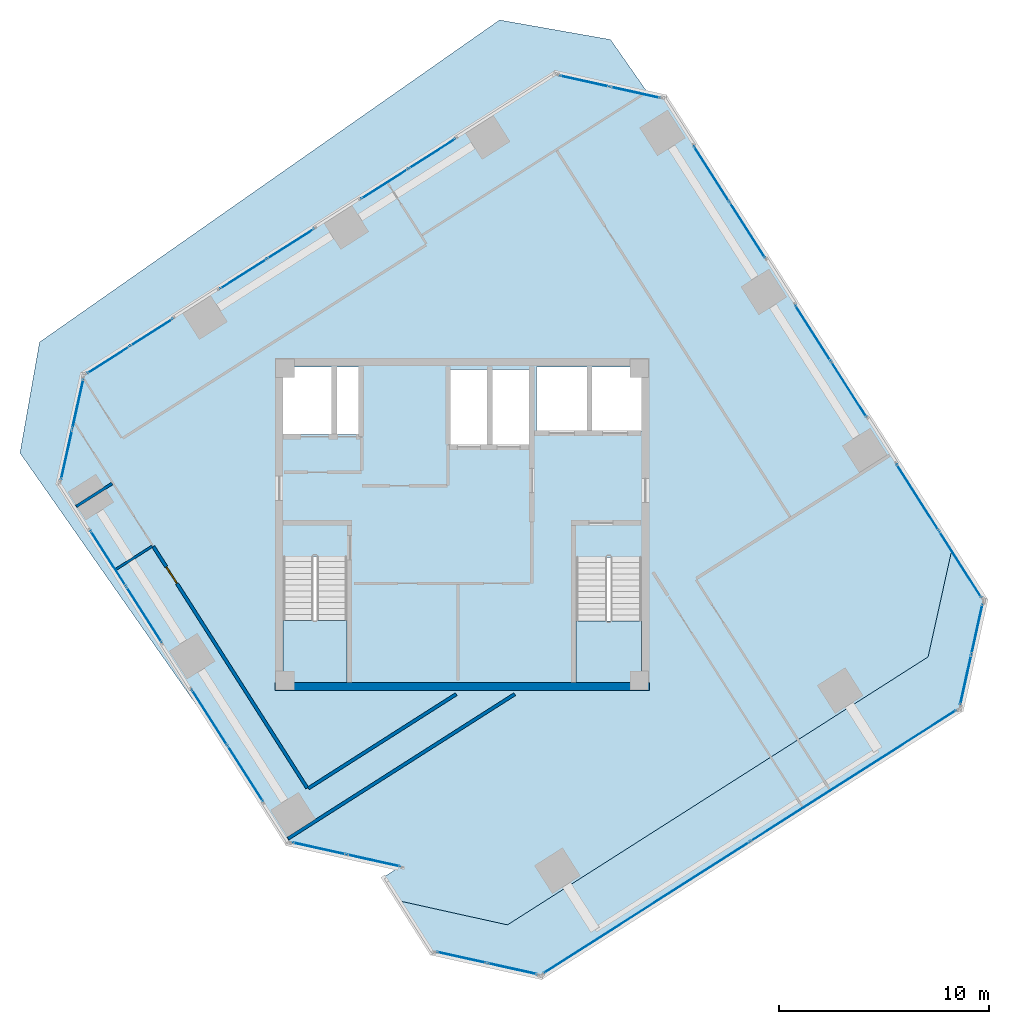
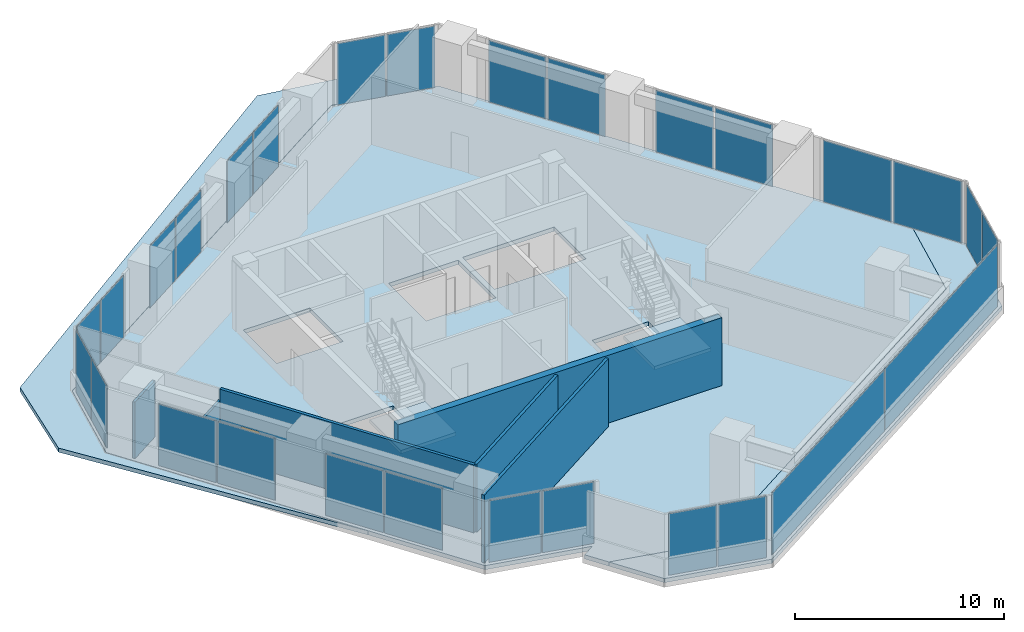
# One storey, part 10 of 15: 28 plates, 6 walls, 5 slabs, 1 door, 1 opening, 16 elements without a shape of their own.
"""IFC4 building model written with IfcOpenShell, lengths in metres."""

from ifc_helpers import new_model, si_unit, direction, frame, frame_2d, origin, origin_2d, place, context, subcontext, project, spatial, polyline, rectangle, outline, extrude, source, transform, mapped, material, layer, layer_set, type_object, element, fill, aggregate, save


model = new_model("IFC4")

# Units and contexts
model_context = context("Model", 3, precision=1e-05, world=origin(), true_north=direction((0.0, 1.0)))
body_context = subcontext(model_context, "Body", "Model", "MODEL_VIEW")
ifc_project = project(units=[si_unit("LENGTHUNIT", "METRE"), si_unit("AREAUNIT", "SQUARE_METRE"), si_unit("VOLUMEUNIT", "CUBIC_METRE"), si_unit("PLANEANGLEUNIT", "RADIAN"), si_unit("MASSUNIT", "GRAM", prefix="KILO")], contexts=[model_context])

# Site, building, storey
site_placement = place(None, origin())
site = spatial("IfcSite", under=ifc_project, at=site_placement, CompositionType="ELEMENT")
building_placement = place(site_placement, origin())
building = spatial("IfcBuilding", under=site, at=building_placement, Name="Torre Montelarca", CompositionType="ELEMENT")
storey_placement = place(building_placement, frame((0.0, 0.0, 307.199951171875)))
storey = spatial("IfcBuildingStorey", under=building, at=storey_placement, Name="L69", CompositionType="ELEMENT", Elevation=307.199951171875)

# Slabs
ifc_material_1 = material(Name="Concrete C40/50", Category="concrete")
ifc_layer_1 = layer(ifc_material_1, 0.239990234375, Name="Concrete C40/50", Category="concrete")
ifc_layer_set_1 = layer_set([ifc_layer_1], Name="Concrete C40/50")
slab_type_1 = type_object("IfcSlabType", Name="SL-FLR-240", PredefinedType="FLOOR", material=ifc_layer_set_1)
slab_1_placement = place(storey_placement, frame((0.0, 0.0, -0.239990234375)))
element("IfcSlab", 1, at=slab_1_placement, inside=storey, type_object=slab_type_1, Name="L69 Structural Floor Slab", PredefinedType="FLOOR", context=body_context, shape_type="SweptSolid", body=[
    extrude(outline(polyline([(9.642578125, 16.739013671875), (14.889404296875, 15.575927734375), (14.214599609375, 15.14599609375), (14.9130859375, 14.0498046875), (20.159912109375, 12.88671875), (40.232421875, 25.67431640625), (41.3955078125, 30.9208984375), (27.694580078125, 52.427490234375), (22.447998046875, 53.590576171875), (-0.155029296875, 39.19091796875), (-1.318115234375, 33.9443359375), (9.642578125, 16.739013671875)]), holes=[polyline([(26.550048828125, 24.449951171875), (23.43994140625, 24.449951171875), (23.43994140625, 30.429931640625), (26.550048828125, 30.429931640625), (26.550048828125, 24.449951171875)]), polyline([(12.5, 24.449951171875), (9.449951171875, 24.449951171875), (9.449951171875, 30.4599609375), (12.5, 30.4599609375), (12.5, 24.449951171875)]), polyline([(21.25, 39.39990234375), (21.25, 35.800048828125), (17.39990234375, 35.800048828125), (17.39990234375, 39.39990234375), (21.25, 39.39990234375)]), polyline([(13.1201171875, 36.300048828125), (9.449951171875, 36.300048828125), (9.449951171875, 39.5), (13.1201171875, 39.5), (13.1201171875, 36.300048828125)]), polyline([(26.60009765625, 36.449951171875), (21.550048828125, 36.449951171875), (21.550048828125, 39.5), (26.60009765625, 39.5), (26.60009765625, 36.449951171875)])]), origin(), (0.0, 0.0, 1.0), 0.239990234375),
])
slab_2_placement = place(storey_placement, frame((0.0, 0.0, -0.239990234375)))
element("IfcSlab", 2, at=slab_2_placement, inside=storey, type_object=slab_type_1, Name="L69 Sliding Tray Winter Garden Floor Slab E1", PredefinedType="FLOOR", context=body_context, shape_type="SweptSolid", body=[
    extrude(outline(polyline([(41.3955078125, 30.9208984375), (40.232421875, 25.67431640625), (20.159912109375, 12.88671875), (14.9130859375, 14.0498046875), (16.52490234375, 11.51953125), (21.771728515625, 10.3564453125), (41.844482421875, 23.14404296875), (43.007568359375, 28.390625), (41.3955078125, 30.9208984375)])), origin(), (0.0, 0.0, 1.0), 0.239990234375),
])
ifc_material_2 = material(Name="Architectural concrete C40/50", Category="concrete")
ifc_layer_2 = layer(ifc_material_2, 0.239990234375, Name="Architectural concrete C40/50", Category="concrete")
ifc_layer_set_2 = layer_set([ifc_layer_2], Name="Architectural concrete C40/50")
slab_type_2 = type_object("IfcSlabType", Name="SL-ROOF-EXT-240", PredefinedType="ROOF", material=ifc_layer_set_2)
slab_3_placement = place(storey_placement, frame((0.0, 0.0, -0.239990234375)))
element("IfcSlab", 3, at=slab_3_placement, inside=storey, type_object=slab_type_2, Name="L68 Setback and Tray Overhang Roof Cap Slab 01", PredefinedType="ROOF", context=body_context, shape_type="SweptSolid", body=[
    extrude(outline(polyline([(-1.32666015625, 33.94287109375), (-0.162109375, 39.19580078125), (22.4462890625, 53.59912109375), (26.833740234375, 52.62646484375), (25.076904296875, 55.135498046875), (19.784423828125, 56.06884765625), (-2.168701171875, 40.697021484375), (-3.10205078125, 35.404541015625), (6.258056640625, 22.036865234375), (-1.32666015625, 33.94287109375)])), origin(), (0.0, 0.0, 1.0), 0.239990234375),
])

# Stair, slab
stair_type_1 = type_object("IfcStairType", Name="ST-CORE-ST1", PredefinedType="HALF_TURN_STAIR", material=ifc_material_1)
stair_1_placement = place(storey_placement, origin())
stair_1 = element("IfcStair", 4, at=stair_1_placement, inside=storey, type_object=stair_type_1, Name="L69 Protected Exit Stair ST1", PredefinedType="HALF_TURN_STAIR")
ifc_layer_3 = layer(ifc_material_1, 0.199951171875, Name="Concrete C40/50", Category="concrete")
ifc_layer_set_3 = layer_set([ifc_layer_3], Name="Concrete C40/50")
slab_type_3 = type_object("IfcSlabType", Name="SL-ST-LAND-ST1", PredefinedType="LANDING", material=ifc_layer_set_3)
slab_4_placement = place(storey_placement, frame((0.0, 0.0, 1.900146484375)))
slab_4 = element("IfcSlab", 5, at=slab_4_placement, type_object=slab_type_3, Name="ST1 landing 1", PredefinedType="LANDING", context=body_context, shape_type="SweptSolid", body=[
    extrude(outline(polyline([(9.449951171875, 27.419921875), (9.449951171875, 24.449951171875), (12.5, 24.449951171875), (12.5, 27.419921875), (9.449951171875, 27.419921875)])), origin(), (0.0, 0.0, 1.0), 0.199951171875),
])
aggregate(stair_1, [slab_4])

stair_type_2 = type_object("IfcStairType", Name="ST-CORE-ST2", PredefinedType="HALF_TURN_STAIR", material=ifc_material_1)
stair_2_placement = place(storey_placement, origin())
stair_2 = element("IfcStair", 6, at=stair_2_placement, inside=storey, type_object=stair_type_2, Name="L69 Protected Exit Stair ST2", PredefinedType="HALF_TURN_STAIR")
ifc_layer_4 = layer(ifc_material_1, 0.199951171875, Name="Concrete C40/50", Category="concrete")
ifc_layer_set_4 = layer_set([ifc_layer_4], Name="Concrete C40/50")
slab_type_4 = type_object("IfcSlabType", Name="SL-ST-LAND-ST2", PredefinedType="LANDING", material=ifc_layer_set_4)
slab_5_placement = place(storey_placement, frame((0.0, 0.0, 1.900146484375)))
slab_5 = element("IfcSlab", 7, at=slab_5_placement, type_object=slab_type_4, Name="ST2 landing 1", PredefinedType="LANDING", context=body_context, shape_type="SweptSolid", body=[
    extrude(outline(polyline([(23.43994140625, 27.389892578125), (23.43994140625, 24.449951171875), (26.550048828125, 24.449951171875), (26.550048828125, 27.389892578125), (23.43994140625, 27.389892578125)])), origin(), (0.0, 0.0, 1.0), 0.199951171875),
])
aggregate(stair_2, [slab_5])

# Curtain wall, plates
ifc_material_3 = material(Name="Insulated low-E laminated glass", Category="glass")
curtain_wall_type = type_object("IfcCurtainWallType", Name="CW-SYS-Z4", PredefinedType="USERDEFINED", material=ifc_material_3)
curtain_wall_1_placement = place(storey_placement, origin())
curtain_wall_1 = element("IfcCurtainWall", 8, at=curtain_wall_1_placement, inside=storey, type_object=curtain_wall_type, Name="L69 Curtain Wall Run CW-T3-L69-E02-B1", ObjectType="UNITISED GLAZING", PredefinedType="USERDEFINED")
ifc_layer_5 = layer(ifc_material_3, 0.035888671875, Name="Insulated low-E laminated glass", Category="glass")
ifc_layer_set_5 = layer_set([ifc_layer_5], Name="Insulated low-E laminated glass")
plate_type = type_object("IfcPlateType", Name="CWP-GLZ-36", PredefinedType="CURTAIN_PANEL", material=ifc_layer_set_5)
shared_shape_1 = source(origin(), body_context, "Body", "SweptSolid", [
    extrude(rectangle(XDim=2.592529296875, YDim=0.035888671875, at=origin_2d()), origin(), (0.0, 0.0, 1.0), 3.590087890625),
])
plate_1_placement = place(storey_placement, frame((11.17138671875, 16.533447265625, 0.06494140625), z_axis=(0.0, 0.0, 1.0), x_axis=(0.976293931856, -0.216448974638, 0.0)))
plate_1 = element("IfcPlate", 9, at=plate_1_placement, type_object=plate_type, Name="CW panel 1.1", PredefinedType="CURTAIN_PANEL", context=body_context, shape_type="MappedRepresentation", body=[
    mapped(shared_shape_1, transform((0.0, 0.0, 0.0), scale=1.0)),
])
plate_2_placement = place(storey_placement, frame((13.775634765625, 15.9560546875, 0.06494140625), z_axis=(0.0, 0.0, 1.0), x_axis=(0.976293931856, -0.216448974638, 0.0)))
plate_2 = element("IfcPlate", 10, at=plate_2_placement, type_object=plate_type, Name="CW panel 2.1", PredefinedType="CURTAIN_PANEL", context=body_context, shape_type="MappedRepresentation", body=[
    mapped(shared_shape_1, transform((0.0, 0.0, 0.0), scale=1.0)),
])
aggregate(curtain_wall_1, [plate_1, plate_2])

curtain_wall_2_placement = place(storey_placement, origin())
curtain_wall_2 = element("IfcCurtainWall", 11, at=curtain_wall_2_placement, inside=storey, type_object=curtain_wall_type, Name="L69 Curtain Wall Run CW-T3-L69-E05-B1", ObjectType="UNITISED GLAZING", PredefinedType="USERDEFINED")
shared_shape_2 = source(origin(), body_context, "Body", "SweptSolid", [
    extrude(rectangle(XDim=2.40869140625, YDim=0.035888671875, at=origin_2d()), origin(), (0.0, 0.0, 1.0), 3.590087890625),
])
plate_3_placement = place(storey_placement, frame((17.964111328125, 11.333740234375, 0.06494140625), z_axis=(0.0, 0.0, 1.0), x_axis=(0.976296125468, -0.216439080105, 0.0)))
plate_3 = element("IfcPlate", 12, at=plate_3_placement, type_object=plate_type, Name="CW panel 1.1", PredefinedType="CURTAIN_PANEL", context=body_context, shape_type="MappedRepresentation", body=[
    mapped(shared_shape_2, transform((0.0, 0.0, 0.0), scale=1.0)),
])
plate_4_placement = place(storey_placement, frame((20.388916015625, 10.796142578125, 0.06494140625), z_axis=(0.0, 0.0, 1.0), x_axis=(0.976296125468, -0.216439080105, 0.0)))
plate_4 = element("IfcPlate", 13, at=plate_4_placement, type_object=plate_type, Name="CW panel 2.1", PredefinedType="CURTAIN_PANEL", context=body_context, shape_type="MappedRepresentation", body=[
    mapped(shared_shape_2, transform((0.0, 0.0, 0.0), scale=1.0)),
])
aggregate(curtain_wall_2, [plate_3, plate_4])

curtain_wall_3_placement = place(storey_placement, origin())
curtain_wall_3 = element("IfcCurtainWall", 14, at=curtain_wall_3_placement, inside=storey, type_object=curtain_wall_type, Name="L69 Curtain Wall Run CW-T3-L69-E07-B1", ObjectType="UNITISED GLAZING", PredefinedType="USERDEFINED")
plate_5_placement = place(storey_placement, frame((42.0302734375, 24.583251953125, 0.06494140625), z_axis=(0.0, 0.0, 1.0), x_axis=(0.216443270716, 0.976295196425, 0.0)))
plate_5 = element("IfcPlate", 15, at=plate_5_placement, type_object=plate_type, Name="CW panel 1.1", PredefinedType="CURTAIN_PANEL", context=body_context, shape_type="MappedRepresentation", body=[
    mapped(shared_shape_2, transform((0.0, 0.0, 0.0), scale=1.0)),
])
plate_6_placement = place(storey_placement, frame((42.56787109375, 27.008056640625, 0.06494140625), z_axis=(0.0, 0.0, 1.0), x_axis=(0.216443270716, 0.976295196425, 0.0)))
plate_6 = element("IfcPlate", 16, at=plate_6_placement, type_object=plate_type, Name="CW panel 2.1", PredefinedType="CURTAIN_PANEL", context=body_context, shape_type="MappedRepresentation", body=[
    mapped(shared_shape_2, transform((0.0, 0.0, 0.0), scale=1.0)),
])
aggregate(curtain_wall_3, [plate_5, plate_6])

curtain_wall_4_placement = place(storey_placement, origin())
curtain_wall_4 = element("IfcCurtainWall", 17, at=curtain_wall_4_placement, inside=storey, type_object=curtain_wall_type, Name="L69 Curtain Wall Run CW-T3-L69-E09-B1", ObjectType="UNITISED GLAZING", PredefinedType="USERDEFINED")
plate_7_placement = place(storey_placement, frame((26.25537109375, 52.61328125, 0.06494140625), z_axis=(0.0, 0.0, 1.0), x_axis=(-0.976295196425, 0.216443270716, 0.0)))
plate_7 = element("IfcPlate", 18, at=plate_7_placement, type_object=plate_type, Name="CW panel 1.1", PredefinedType="CURTAIN_PANEL", context=body_context, shape_type="MappedRepresentation", body=[
    mapped(shared_shape_2, transform((0.0, 0.0, 0.0), scale=1.0)),
])
plate_8_placement = place(storey_placement, frame((23.83056640625, 53.15087890625, 0.06494140625), z_axis=(0.0, 0.0, 1.0), x_axis=(-0.976295196425, 0.216443270716, 0.0)))
plate_8 = element("IfcPlate", 19, at=plate_8_placement, type_object=plate_type, Name="CW panel 2.1", PredefinedType="CURTAIN_PANEL", context=body_context, shape_type="MappedRepresentation", body=[
    mapped(shared_shape_2, transform((0.0, 0.0, 0.0), scale=1.0)),
])
aggregate(curtain_wall_4, [plate_7, plate_8])

curtain_wall_5_placement = place(storey_placement, origin())
curtain_wall_5 = element("IfcCurtainWall", 20, at=curtain_wall_5_placement, inside=storey, type_object=curtain_wall_type, Name="L69 Curtain Wall Run CW-T3-L69-E11-B1", ObjectType="UNITISED GLAZING", PredefinedType="USERDEFINED")
plate_9_placement = place(storey_placement, frame((-0.3408203125, 37.751953125, 0.06494140625), z_axis=(0.0, 0.0, 1.0), x_axis=(-0.216462173228, -0.976291005572, 0.0)))
plate_9 = element("IfcPlate", 21, at=plate_9_placement, type_object=plate_type, Name="CW panel 1.1", PredefinedType="CURTAIN_PANEL", context=body_context, shape_type="MappedRepresentation", body=[
    mapped(shared_shape_2, transform((0.0, 0.0, 0.0), scale=1.0)),
])
plate_10_placement = place(storey_placement, frame((-0.87841796875, 35.3271484375, 0.06494140625), z_axis=(0.0, 0.0, 1.0), x_axis=(-0.216462173228, -0.976291005572, 0.0)))
plate_10 = element("IfcPlate", 22, at=plate_10_placement, type_object=plate_type, Name="CW panel 2.1", PredefinedType="CURTAIN_PANEL", context=body_context, shape_type="MappedRepresentation", body=[
    mapped(shared_shape_2, transform((0.0, 0.0, 0.0), scale=1.0)),
])
aggregate(curtain_wall_5, [plate_9, plate_10])

curtain_wall_6_placement = place(storey_placement, origin())
curtain_wall_6 = element("IfcCurtainWall", 23, at=curtain_wall_6_placement, inside=storey, type_object=curtain_wall_type, Name="L69 Curtain Wall Run CW-T3-L69-E01-B1", ObjectType="UNITISED GLAZING", PredefinedType="USERDEFINED")
shared_shape_3 = source(origin(), body_context, "Body", "SweptSolid", [
    extrude(rectangle(XDim=3.107421875, YDim=0.035888671875, at=origin_2d()), origin(), (0.0, 0.0, 1.0), 3.590087890625),
])
plate_11_placement = place(storey_placement, frame((1.1064453125, 30.380126953125, 0.06494140625), z_axis=(0.0, 0.0, 1.0), x_axis=(0.537301440244, -0.843390278763, 0.0)))
plate_11 = element("IfcPlate", 24, at=plate_11_placement, type_object=plate_type, Name="CW panel 1.1", PredefinedType="CURTAIN_PANEL", context=body_context, shape_type="MappedRepresentation", body=[
    mapped(shared_shape_3, transform((0.0, 0.0, 0.0), scale=1.0)),
])
plate_12_placement = place(storey_placement, frame((2.81640625, 27.696044921875, 0.06494140625), z_axis=(0.0, 0.0, 1.0), x_axis=(0.537301440244, -0.843390278763, 0.0)))
plate_12 = element("IfcPlate", 25, at=plate_12_placement, type_object=plate_type, Name="CW panel 2.1", PredefinedType="CURTAIN_PANEL", context=body_context, shape_type="MappedRepresentation", body=[
    mapped(shared_shape_3, transform((0.0, 0.0, 0.0), scale=1.0)),
])
aggregate(curtain_wall_6, [plate_11, plate_12])

curtain_wall_7_placement = place(storey_placement, origin())
curtain_wall_7 = element("IfcCurtainWall", 26, at=curtain_wall_7_placement, inside=storey, type_object=curtain_wall_type, Name="L69 Curtain Wall Run CW-T3-L69-E01-B2", ObjectType="UNITISED GLAZING", PredefinedType="USERDEFINED")
plate_13_placement = place(storey_placement, frame((5.942138671875, 22.78955078125, 0.06494140625), z_axis=(0.0, 0.0, 1.0), x_axis=(0.537301440244, -0.843390278763, 0.0)))
plate_13 = element("IfcPlate", 27, at=plate_13_placement, type_object=plate_type, Name="CW panel 1.1", PredefinedType="CURTAIN_PANEL", context=body_context, shape_type="MappedRepresentation", body=[
    mapped(shared_shape_3, transform((0.0, 0.0, 0.0), scale=1.0)),
])
plate_14_placement = place(storey_placement, frame((7.652099609375, 20.10546875, 0.06494140625), z_axis=(0.0, 0.0, 1.0), x_axis=(0.537301440244, -0.843390278763, 0.0)))
plate_14 = element("IfcPlate", 28, at=plate_14_placement, type_object=plate_type, Name="CW panel 2.1", PredefinedType="CURTAIN_PANEL", context=body_context, shape_type="MappedRepresentation", body=[
    mapped(shared_shape_3, transform((0.0, 0.0, 0.0), scale=1.0)),
])
aggregate(curtain_wall_7, [plate_13, plate_14])

curtain_wall_8_placement = place(storey_placement, origin())
curtain_wall_8 = element("IfcCurtainWall", 29, at=curtain_wall_8_placement, inside=storey, type_object=curtain_wall_type, Name="L69 Curtain Wall Run CW-T3-L69-E08-B2", ObjectType="UNITISED GLAZING", PredefinedType="USERDEFINED")
plate_15_placement = place(storey_placement, frame((36.445556640625, 38.448974609375, 0.06494140625), z_axis=(0.0, 0.0, 1.0), x_axis=(-0.537294403713, 0.843394761508, 0.0)))
plate_15 = element("IfcPlate", 30, at=plate_15_placement, type_object=plate_type, Name="CW panel 1.1", PredefinedType="CURTAIN_PANEL", context=body_context, shape_type="MappedRepresentation", body=[
    mapped(shared_shape_3, transform((0.0, 0.0, 0.0), scale=1.0)),
])
plate_16_placement = place(storey_placement, frame((34.735595703125, 41.133056640625, 0.06494140625), z_axis=(0.0, 0.0, 1.0), x_axis=(-0.537294403713, 0.843394761508, 0.0)))
plate_16 = element("IfcPlate", 31, at=plate_16_placement, type_object=plate_type, Name="CW panel 2.1", PredefinedType="CURTAIN_PANEL", context=body_context, shape_type="MappedRepresentation", body=[
    mapped(shared_shape_3, transform((0.0, 0.0, 0.0), scale=1.0)),
])
aggregate(curtain_wall_8, [plate_15, plate_16])

curtain_wall_9_placement = place(storey_placement, origin())
curtain_wall_9 = element("IfcCurtainWall", 32, at=curtain_wall_9_placement, inside=storey, type_object=curtain_wall_type, Name="L69 Curtain Wall Run CW-T3-L69-E08-B3", ObjectType="UNITISED GLAZING", PredefinedType="USERDEFINED")
plate_17_placement = place(storey_placement, frame((31.60986328125, 46.03955078125, 0.06494140625), z_axis=(0.0, 0.0, 1.0), x_axis=(-0.537301440244, 0.843390278763, 0.0)))
plate_17 = element("IfcPlate", 33, at=plate_17_placement, type_object=plate_type, Name="CW panel 1.1", PredefinedType="CURTAIN_PANEL", context=body_context, shape_type="MappedRepresentation", body=[
    mapped(shared_shape_3, transform((0.0, 0.0, 0.0), scale=1.0)),
])
plate_18_placement = place(storey_placement, frame((29.89990234375, 48.7236328125, 0.06494140625), z_axis=(0.0, 0.0, 1.0), x_axis=(-0.537301440244, 0.843390278763, 0.0)))
plate_18 = element("IfcPlate", 34, at=plate_18_placement, type_object=plate_type, Name="CW panel 2.1", PredefinedType="CURTAIN_PANEL", context=body_context, shape_type="MappedRepresentation", body=[
    mapped(shared_shape_3, transform((0.0, 0.0, 0.0), scale=1.0)),
])
aggregate(curtain_wall_9, [plate_17, plate_18])

curtain_wall_10_placement = place(storey_placement, origin())
curtain_wall_10 = element("IfcCurtainWall", 35, at=curtain_wall_10_placement, inside=storey, type_object=curtain_wall_type, Name="L69 Curtain Wall Run CW-T3-L69-E06-B1", ObjectType="UNITISED GLAZING", PredefinedType="USERDEFINED")
shared_shape_4 = source(origin(), body_context, "Body", "SweptSolid", [
    extrude(rectangle(XDim=11.62158203125, YDim=0.035888671875, at=origin_2d()), origin(), (0.0, 0.0, 1.0), 3.590087890625),
])
plate_19_placement = place(storey_placement, frame((26.8056640625, 13.717529296875, 0.06494140625), z_axis=(0.0, 0.0, 1.0), x_axis=(0.84339012646, 0.537301679311, 0.0)))
plate_19 = element("IfcPlate", 36, at=plate_19_placement, type_object=plate_type, Name="CW panel 1.1", PredefinedType="CURTAIN_PANEL", context=body_context, shape_type="MappedRepresentation", body=[
    mapped(shared_shape_4, transform((0.0, 0.0, 0.0), scale=1.0)),
])
plate_20_placement = place(storey_placement, frame((36.670654296875, 20.002197265625, 0.06494140625), z_axis=(0.0, 0.0, 1.0), x_axis=(0.84339012646, 0.537301679311, 0.0)))
plate_20 = element("IfcPlate", 37, at=plate_20_placement, type_object=plate_type, Name="CW panel 2.1", PredefinedType="CURTAIN_PANEL", context=body_context, shape_type="MappedRepresentation", body=[
    mapped(shared_shape_4, transform((0.0, 0.0, 0.0), scale=1.0)),
])
aggregate(curtain_wall_10, [plate_19, plate_20])

curtain_wall_11_placement = place(storey_placement, origin())
curtain_wall_11 = element("IfcCurtainWall", 38, at=curtain_wall_11_placement, inside=storey, type_object=curtain_wall_type, Name="L69 Curtain Wall Run CW-T3-L69-E08-B1", ObjectType="UNITISED GLAZING", PredefinedType="USERDEFINED")
shared_shape_5 = source(origin(), body_context, "Body", "SweptSolid", [
    extrude(rectangle(XDim=3.714599609375, YDim=0.035888671875, at=origin_2d()), origin(), (0.0, 0.0, 1.0), 3.590087890625),
])
plate_21_placement = place(storey_placement, frame((41.7705078125, 30.09033203125, 0.06494140625), z_axis=(0.0, 0.0, 1.0), x_axis=(-0.537298951454, 0.8433918643, 0.0)))
plate_21 = element("IfcPlate", 39, at=plate_21_placement, type_object=plate_type, Name="CW panel 1.1", PredefinedType="CURTAIN_PANEL", context=body_context, shape_type="MappedRepresentation", body=[
    mapped(shared_shape_5, transform((0.0, 0.0, 0.0), scale=1.0)),
])
plate_22_placement = place(storey_placement, frame((39.734375, 33.28662109375, 0.06494140625), z_axis=(0.0, 0.0, 1.0), x_axis=(-0.537298951454, 0.8433918643, 0.0)))
plate_22 = element("IfcPlate", 40, at=plate_22_placement, type_object=plate_type, Name="CW panel 2.1", PredefinedType="CURTAIN_PANEL", context=body_context, shape_type="MappedRepresentation", body=[
    mapped(shared_shape_5, transform((0.0, 0.0, 0.0), scale=1.0)),
])
aggregate(curtain_wall_11, [plate_21, plate_22])

curtain_wall_12_placement = place(storey_placement, origin())
curtain_wall_12 = element("IfcCurtainWall", 41, at=curtain_wall_12_placement, inside=storey, type_object=curtain_wall_type, Name="L69 Curtain Wall Run CW-T3-L69-E10-B1", ObjectType="UNITISED GLAZING", PredefinedType="USERDEFINED")
shared_shape_6 = source(origin(), body_context, "Body", "SweptSolid", [
    extrude(rectangle(XDim=2.607421875, YDim=0.035888671875, at=origin_2d()), origin(), (0.0, 0.0, 1.0), 3.590087890625),
])
plate_23_placement = place(storey_placement, frame((16.564453125, 49.688232421875, 0.06494140625), z_axis=(0.0, 0.0, 1.0), x_axis=(-0.84338964289, -0.537302438359, 0.0)))
plate_23 = element("IfcPlate", 42, at=plate_23_placement, type_object=plate_type, Name="CW panel 1.1", PredefinedType="CURTAIN_PANEL", context=body_context, shape_type="MappedRepresentation", body=[
    mapped(shared_shape_6, transform((0.0, 0.0, 0.0), scale=1.0)),
])
plate_24_placement = place(storey_placement, frame((14.302001953125, 48.246826171875, 0.06494140625), z_axis=(0.0, 0.0, 1.0), x_axis=(-0.84338964289, -0.537302438359, 0.0)))
plate_24 = element("IfcPlate", 43, at=plate_24_placement, type_object=plate_type, Name="CW panel 2.1", PredefinedType="CURTAIN_PANEL", context=body_context, shape_type="MappedRepresentation", body=[
    mapped(shared_shape_6, transform((0.0, 0.0, 0.0), scale=1.0)),
])
aggregate(curtain_wall_12, [plate_23, plate_24])

curtain_wall_13_placement = place(storey_placement, origin())
curtain_wall_13 = element("IfcCurtainWall", 44, at=curtain_wall_13_placement, inside=storey, type_object=curtain_wall_type, Name="L69 Curtain Wall Run CW-T3-L69-E10-B2", ObjectType="UNITISED GLAZING", PredefinedType="USERDEFINED")
plate_25_placement = place(storey_placement, frame((9.8173828125, 45.389892578125, 0.06494140625), z_axis=(0.0, 0.0, 1.0), x_axis=(-0.84338964289, -0.537302438359, 0.0)))
plate_25 = element("IfcPlate", 45, at=plate_25_placement, type_object=plate_type, Name="CW panel 1.1", PredefinedType="CURTAIN_PANEL", context=body_context, shape_type="MappedRepresentation", body=[
    mapped(shared_shape_6, transform((0.0, 0.0, 0.0), scale=1.0)),
])
plate_26_placement = place(storey_placement, frame((7.554931640625, 43.948486328125, 0.06494140625), z_axis=(0.0, 0.0, 1.0), x_axis=(-0.84338964289, -0.537302438359, 0.0)))
plate_26 = element("IfcPlate", 46, at=plate_26_placement, type_object=plate_type, Name="CW panel 2.1", PredefinedType="CURTAIN_PANEL", context=body_context, shape_type="MappedRepresentation", body=[
    mapped(shared_shape_6, transform((0.0, 0.0, 0.0), scale=1.0)),
])
aggregate(curtain_wall_13, [plate_25, plate_26])

curtain_wall_14_placement = place(storey_placement, origin())
curtain_wall_14 = element("IfcCurtainWall", 47, at=curtain_wall_14_placement, inside=storey, type_object=curtain_wall_type, Name="L69 Curtain Wall Run CW-T3-L69-E10-B3", ObjectType="UNITISED GLAZING", PredefinedType="USERDEFINED")
shared_shape_7 = source(origin(), body_context, "Body", "SweptSolid", [
    extrude(rectangle(XDim=2.364501953125, YDim=0.035888671875, at=origin_2d()), origin(), (0.0, 0.0, 1.0), 3.590087890625),
])
plate_27_placement = place(storey_placement, frame((3.172607421875, 41.15673828125, 0.06494140625), z_axis=(0.0, 0.0, 1.0), x_axis=(-0.843388763083, -0.537303819367, 0.0)))
plate_27 = element("IfcPlate", 48, at=plate_27_placement, type_object=plate_type, Name="CW panel 1.1", PredefinedType="CURTAIN_PANEL", context=body_context, shape_type="MappedRepresentation", body=[
    mapped(shared_shape_7, transform((0.0, 0.0, 0.0), scale=1.0)),
])
plate_28_placement = place(storey_placement, frame((1.114990234375, 39.845947265625, 0.06494140625), z_axis=(0.0, 0.0, 1.0), x_axis=(-0.843388763083, -0.537303819367, 0.0)))
plate_28 = element("IfcPlate", 49, at=plate_28_placement, type_object=plate_type, Name="CW panel 2.1", PredefinedType="CURTAIN_PANEL", context=body_context, shape_type="MappedRepresentation", body=[
    mapped(shared_shape_7, transform((0.0, 0.0, 0.0), scale=1.0)),
])
aggregate(curtain_wall_14, [plate_27, plate_28])

# Wall
ifc_layer_6 = layer(ifc_material_1, 0.3798828125, Name="Concrete C40/50", Category="concrete")
ifc_layer_set_6 = layer_set([ifc_layer_6], Name="Concrete C40/50")
wall_type_1 = type_object("IfcWallType", Name="CW-SHEAR-380", PredefinedType="SHEAR", material=ifc_layer_set_6)
wall_1_placement = place(storey_placement, frame((9.070068359375, 24.260009765625, 0.0), z_axis=(0.0, 0.0, 1.0), x_axis=(1.0, 0.0, 0.0)))
element("IfcWall", 50, at=wall_1_placement, inside=storey, type_object=wall_type_1, Name="L69 Core Shear Wall CW-S1", PredefinedType="SHEAR", context=body_context, shape_type="SweptSolid", body=[
    extrude(rectangle(XDim=17.85986328125, YDim=0.3798828125, at=frame_2d((8.929931640625, 0.0))), origin(), (0.0, 0.0, 1.0), 3.9599609375),
])

# Wall, opening, door
ifc_material_4 = material(Name="Gypsum plasterboard on steel stud", Category="steel")
ifc_layer_7 = layer(ifc_material_4, 0.159912109375, Name="Gypsum plasterboard on steel stud", Category="steel")
ifc_layer_set_7 = layer_set([ifc_layer_7], Name="Gypsum plasterboard on steel stud")
wall_type_2 = type_object("IfcWallType", Name="PW-FIRE-160", PredefinedType="PARTITIONING", material=ifc_layer_set_7)
wall_2_placement = place(storey_placement, frame((3.260498046875, 30.944580078125, 0.0), z_axis=(0.0, 0.0, 1.0), x_axis=(0.537307625317, -0.843386338386, 0.0)))
wall_2 = element("IfcWall", 51, at=wall_2_placement, inside=storey, type_object=wall_type_2, Name="L69 Interior Partition W-L69-SOCCN", PredefinedType="PARTITIONING", context=body_context, shape_type="SweptSolid", body=[
    extrude(rectangle(XDim=13.669921875, YDim=0.159912109375, at=frame_2d((6.8349609375, 0.0))), origin(), (0.0, 0.0, 1.0), 3.9599609375),
])
opening_placement = place(wall_2_placement, frame((1.14990234375, 0.0, 0.0)))
opening = element("IfcOpeningElement", 52, at=opening_placement, cuts=wall_2, Name="Opening FD-095", PredefinedType="OPENING", context=body_context, shape_type="SweptSolid", body=[
    extrude(rectangle(XDim=0.949951171875, YDim=2.14990234375, at=frame_2d((0.47509765625, 1.074951171875))), frame((0.0, 0.08984375, 0.0), z_axis=(0.0, -1.0, 0.0), x_axis=(1.0, 0.0, 0.0)), (0.0, 0.0, 1.0), 0.179931640625),
])
ifc_material_5 = material(Name="Timber fire-rated room door", Category="wood")
door_type = type_object("IfcDoorType", Name="DR-FIRE-095", OperationType="NOTDEFINED", PredefinedType="DOOR", material=ifc_material_5)
shared_shape_8 = source(origin(), body_context, "Body", "SweptSolid", [
    extrude(rectangle(XDim=0.949951171875, YDim=2.14990234375, at=frame_2d((0.47509765625, 1.074951171875))), frame((0.0, 0.02490234375, 0.0), z_axis=(0.0, -1.0, 0.0), x_axis=(1.0, 0.0, 0.0)), (0.0, 0.0, 1.0), 0.050048828125),
])
door_placement = place(opening_placement, origin())
door = element("IfcDoor", 53, at=door_placement, inside=storey, type_object=door_type, Name="L69 Interior Door 07", OperationType="SINGLE_SWING_RIGHT", OverallHeight=2.14990234375, OverallWidth=0.949951171875, PredefinedType="DOOR", context=body_context, shape_type="MappedRepresentation", body=[
    mapped(shared_shape_8, transform((0.0, 0.0, 0.0), scale=1.0)),
])
fill(opening, door)

# Walls
wall_3_placement = place(storey_placement, frame((10.66064453125, 19.4033203125, 0.0), z_axis=(0.0, 0.0, 1.0), x_axis=(0.843399441764, 0.537287057012, 0.0)))
element("IfcWall", 54, at=wall_3_placement, inside=storey, type_object=wall_type_2, Name="L69 Interior Partition W-L69-SOCCW3", PredefinedType="PARTITIONING", context=body_context, shape_type="SweptSolid", body=[
    extrude(rectangle(XDim=8.3662109375, YDim=0.159912109375, at=frame_2d((4.18310546875, 0.0))), origin(), (0.0, 0.0, 1.0), 3.9599609375),
])
wall_4_placement = place(storey_placement, frame((9.68701171875, 17.00439453125, 0.0), z_axis=(0.0, 0.0, 1.0), x_axis=(0.843392646996, 0.537297722862, 0.0)))
element("IfcWall", 55, at=wall_4_placement, inside=storey, type_object=wall_type_2, Name="L69 Interior Partition W-L69-ECS", PredefinedType="PARTITIONING", context=body_context, shape_type="SweptSolid", body=[
    extrude(rectangle(XDim=12.8310546875, YDim=0.159912109375, at=frame_2d((6.41552734375, 0.0))), origin(), (0.0, 0.0, 1.0), 3.9599609375),
])
ifc_layer_8 = layer(ifc_material_4, 0.114990234375, Name="Gypsum plasterboard on steel stud", Category="steel")
ifc_layer_set_8 = layer_set([ifc_layer_8], Name="Gypsum plasterboard on steel stud")
wall_type_3 = type_object("IfcWallType", Name="PW-PART-115", PredefinedType="PARTITIONING", material=ifc_layer_set_8)
wall_5_placement = place(storey_placement, frame((1.4931640625, 29.8662109375, 0.0), z_axis=(0.0, 0.0, 1.0), x_axis=(0.843433611632, 0.537233415537, 0.0)))
element("IfcWall", 56, at=wall_5_placement, inside=storey, type_object=wall_type_3, Name="L69 Interior Partition W-L69-SWCDIV", PredefinedType="PARTITIONING", context=body_context, shape_type="SweptSolid", body=[
    extrude(rectangle(XDim=2.030029296875, YDim=0.114990234375, at=frame_2d((1.01513671875, 0.0))), origin(), (0.0, 0.0, 1.0), 3.295166015625),
])
ifc_layer_9 = layer(ifc_material_4, 0.135009765625, Name="Gypsum plasterboard on steel stud", Category="steel")
ifc_layer_set_9 = layer_set([ifc_layer_9], Name="Gypsum plasterboard on steel stud")
wall_type_4 = type_object("IfcWallType", Name="PW-PART-135", PredefinedType="PARTITIONING", material=ifc_layer_set_9)
wall_6_placement = place(storey_placement, frame((-0.414306640625, 32.8603515625, 0.0), z_axis=(0.0, 0.0, 1.0), x_axis=(0.843468317829, 0.5371789244, 0.0)))
element("IfcWall", 57, at=wall_6_placement, inside=storey, type_object=wall_type_4, Name="L69 Interior Partition W-L69-WCD", PredefinedType="PARTITIONING", context=body_context, shape_type="SweptSolid", body=[
    extrude(rectangle(XDim=2.0302734375, YDim=0.135009765625, at=frame_2d((1.01513671875, 0.0))), origin(), (0.0, 0.0, 1.0), 3.295166015625),
])

save(model, "model.ifc")
